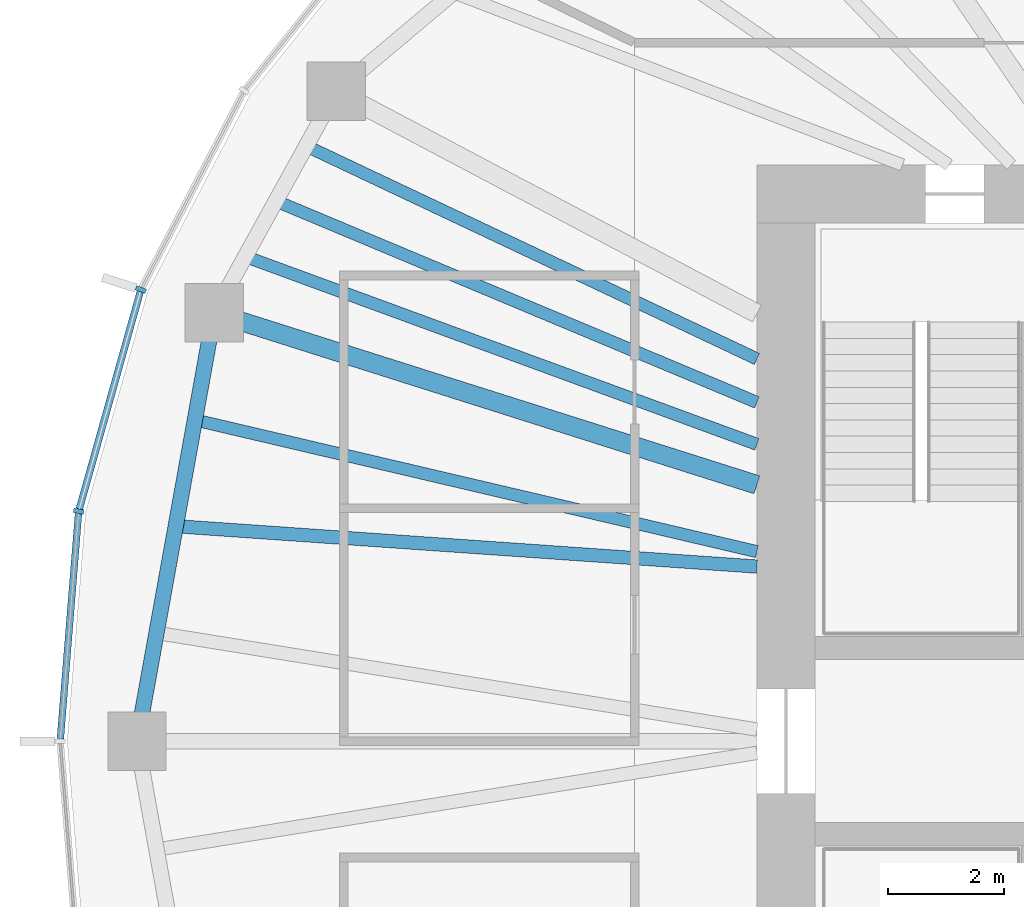
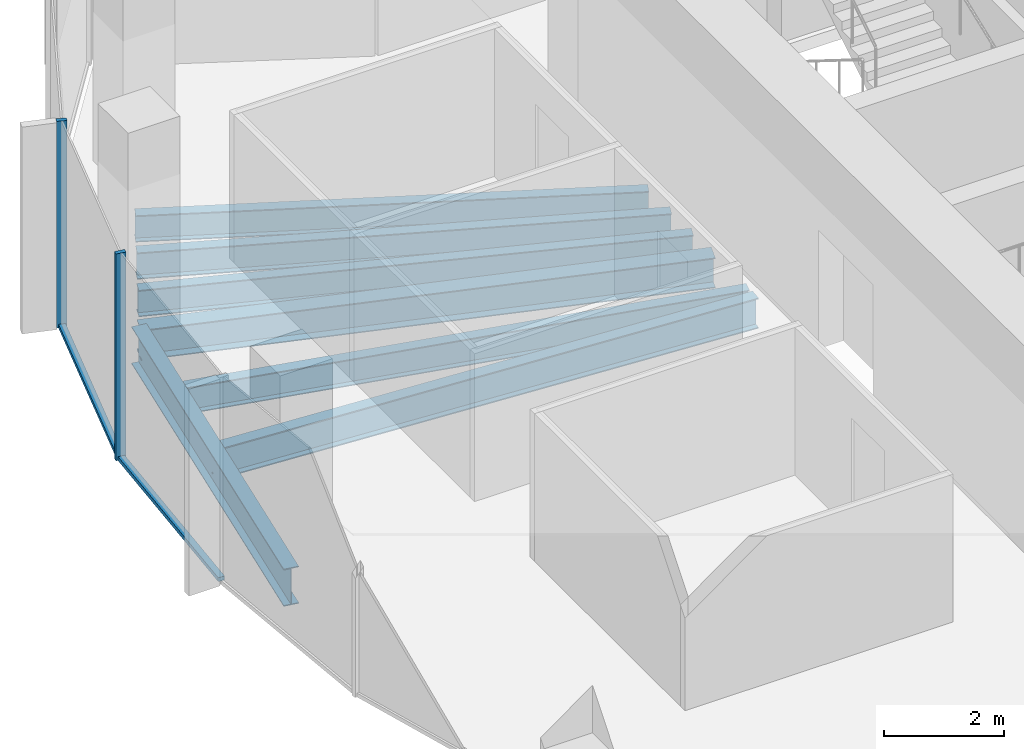
# One storey, part 3 of 11: 7 beams, 4 members, 1 element without a shape of its own.
"""IFC4 building model written with IfcOpenShell, lengths in metres."""

from ifc_helpers import new_model, si_unit, direction, frame, origin, origin_2d, place, context, subcontext, project, spatial, rectangle, i_section, extrude, material, material_profile, profile_set, type_object, element, aggregate, save


model = new_model("IFC4")

# Units and contexts
model_context = context("Model", 3, precision=1e-05, world=origin(), true_north=direction((0.0, 1.0)))
body_context = subcontext(model_context, "Body", "Model", "MODEL_VIEW")
ifc_project = project(units=[si_unit("LENGTHUNIT", "METRE"), si_unit("AREAUNIT", "SQUARE_METRE"), si_unit("VOLUMEUNIT", "CUBIC_METRE"), si_unit("PLANEANGLEUNIT", "RADIAN"), si_unit("MASSUNIT", "GRAM", prefix="KILO")], contexts=[model_context])

# Site, building, storey
site_placement = place(None, origin())
site = spatial("IfcSite", under=ifc_project, at=site_placement, CompositionType="ELEMENT")
building_placement = place(site_placement, origin())
building = spatial("IfcBuilding", under=site, at=building_placement, Name="Ghaith Harvest Tower", CompositionType="ELEMENT")
storey_placement = place(building_placement, frame((0.0, 0.0, 317.39990234375)))
storey = spatial("IfcBuildingStorey", under=building, at=storey_placement, Name="L71", CompositionType="ELEMENT", Elevation=317.39990234375)

# Curtain wall, members
ifc_material_1 = material(Name="Black anodised aluminium and fritted glass", Category="aluminium")
curtain_wall_type = type_object("IfcCurtainWallType", Name="CW-T CURTAIN WALL", PredefinedType="NOTDEFINED", material=ifc_material_1)
curtain_wall_placement = place(storey_placement, origin())
curtain_wall = element("IfcCurtainWall", 1, at=curtain_wall_placement, inside=storey, type_object=curtain_wall_type, Name="Curtain wall CW-T bay 10 L71", PredefinedType="NOTDEFINED")
ifc_material_2 = material(Name="Aluminium, black anodised", Category="aluminium")
ifc_material_profile_1 = material_profile(ifc_material_2, rectangle(XDim=0.080078125, YDim=0.179931640625, at=origin_2d()), Name="CW-T MULLION 80x180")
ifc_profile_set_1 = profile_set([ifc_material_profile_1], Name="Aluminium, black anodised")
member_type_1 = type_object("IfcMemberType", Name="CW-T MULLION 80x180", PredefinedType="MULLION", material=ifc_profile_set_1)
member_1_placement = place(storey_placement, frame((-24.482666015625, 7.759033203125, 0.0), z_axis=(0.0, 0.0, 1.0), x_axis=(-0.366473104961, -0.930428644948, 0.0)))
member_1 = element("IfcMember", 2, at=member_1_placement, type_object=member_type_1, Name="CW-T mullion 1 bay 10 L71", PredefinedType="MULLION", context=body_context, shape_type="SweptSolid", body=[
    extrude(rectangle(XDim=0.080078125, YDim=0.179931640625, at=origin_2d()), origin(), (0.0, 0.0, 1.0), 4.2001953125),
])
member_2_placement = place(storey_placement, frame((-25.5517578125, 3.9521484375, 0.0), z_axis=(0.0, 0.0, 1.0), x_axis=(-0.176001390642, -0.984389917915, 0.0)))
member_2 = element("IfcMember", 3, at=member_2_placement, type_object=member_type_1, Name="CW-T mullion 2 bay 10 L71", PredefinedType="MULLION", context=body_context, shape_type="SweptSolid", body=[
    extrude(rectangle(XDim=0.080078125, YDim=0.179931640625, at=origin_2d()), origin(), (0.0, 0.0, 1.0), 4.2001953125),
])
ifc_material_3 = material(Name="Aluminium, black anodised", Category="aluminium")
ifc_material_profile_2 = material_profile(ifc_material_3, rectangle(XDim=0.1201171875, YDim=0.080078125, at=origin_2d()), Name="CW-T TRANSOM 120x80")
ifc_profile_set_2 = profile_set([ifc_material_profile_2], Name="Aluminium, black anodised")
member_type_2 = type_object("IfcMemberType", Name="CW-T TRANSOM 120x80", PredefinedType="USERDEFINED", material=ifc_profile_set_2)
member_3_placement = place(storey_placement, frame((-24.49365234375, 7.720458984375, 0.0400390625), z_axis=(-0.270340422972, -0.962764797709, 0.0), x_axis=(0.962764797709, -0.270340422972, 0.0)))
member_3 = element("IfcMember", 4, at=member_3_placement, type_object=member_type_2, Name="CW-T transom 1 bay 10 L71", ObjectType="TRANSOM", PredefinedType="USERDEFINED", context=body_context, shape_type="SweptSolid", body=[
    extrude(rectangle(XDim=0.1201171875, YDim=0.080078125, at=origin_2d()), origin(), (0.0, 0.0, 1.0), 3.874267578125),
])
member_4_placement = place(storey_placement, frame((-25.554931640625, 3.912109375, 0.0400390625), z_axis=(-0.08025226314, -0.996774585481, 0.0), x_axis=(0.996774585481, -0.08025226314, 0.0)))
member_4 = element("IfcMember", 5, at=member_4_placement, type_object=member_type_2, Name="CW-T transom 2 bay 10 L71", ObjectType="TRANSOM", PredefinedType="USERDEFINED", context=body_context, shape_type="SweptSolid", body=[
    extrude(rectangle(XDim=0.1201171875, YDim=0.080078125, at=origin_2d()), origin(), (0.0, 0.0, 1.0), 3.884765625),
])
aggregate(curtain_wall, [member_1, member_3, member_2, member_4])

# Beams
ifc_material_4 = material(Name="Steel ASTM A992 Grade 50", Category="steel")
ifc_material_profile_3 = material_profile(ifc_material_4, i_section(OverallWidth=0.26611328125, OverallDepth=0.758056640625, WebThickness=0.013916015625, FlangeThickness=0.019287109375, at=origin_2d()), Name="W760X161")
ifc_profile_set_3 = profile_set([ifc_material_profile_3], Name="Steel ASTM A992 Grade 50")
beam_type_1 = type_object("IfcBeamType", Name="E760-161 W760X161", PredefinedType="SPANDREL", material=ifc_profile_set_3)
beam_1_placement = place(storey_placement, frame((-23.22412109375, 7.360107421875, -0.548828125), z_axis=(-0.177296554745, -0.984157473007, 0.0), x_axis=(0.984157473007, -0.177296554745, 0.0)))
element("IfcBeam", 6, at=beam_1_placement, inside=storey, type_object=beam_type_1, Name="Edge beam E10 L71", PredefinedType="SPANDREL", context=body_context, shape_type="SweptSolid", body=[
    extrude(i_section(OverallWidth=0.26611328125, OverallDepth=0.758056640625, WebThickness=0.013916015625, FlangeThickness=0.019287109375, at=origin_2d()), origin(), (0.0, 0.0, 1.0), 7.478515625),
])
ifc_material_5 = material(Name="Steel ASTM A992 Grade 50", Category="steel")
ifc_material_profile_4 = material_profile(ifc_material_5, i_section(OverallWidth=0.323974609375, OverallDepth=0.611083984375, WebThickness=0.0126953125, FlangeThickness=0.01904296875, at=origin_2d()), Name="W610X155")
ifc_profile_set_4 = profile_set([ifc_material_profile_4], Name="Steel ASTM A992 Grade 50")
beam_type_2 = type_object("IfcBeamType", Name="G610-155 W610X155", PredefinedType="BEAM", material=ifc_profile_set_4)
beam_2_placement = place(storey_placement, frame((-13.89990234375, 4.4052734375, -0.475341796875), z_axis=(-0.953278508772, 0.302092841215, 0.0), x_axis=(-0.302092841215, -0.953278508772, 0.0)))
element("IfcBeam", 7, at=beam_2_placement, inside=storey, type_object=beam_type_2, Name="Radial girder G10 L71", PredefinedType="BEAM", context=body_context, shape_type="SweptSolid", body=[
    extrude(i_section(OverallWidth=0.323974609375, OverallDepth=0.611083984375, WebThickness=0.0126953125, FlangeThickness=0.01904296875, at=origin_2d()), origin(), (0.0, 0.0, 1.0), 9.78125),
])
ifc_material_6 = material(Name="Steel ASTM A992 Grade 50", Category="steel")
ifc_material_profile_5 = material_profile(ifc_material_6, i_section(OverallWidth=0.2109375, OverallDepth=0.5390625, WebThickness=0.01171875, FlangeThickness=0.018798828125, at=origin_2d()), Name="W530X109")
ifc_profile_set_5 = profile_set([ifc_material_profile_5], Name="Steel ASTM A992 Grade 50")
beam_type_3 = type_object("IfcBeamType", Name="J530-109 W530X109", PredefinedType="JOIST", material=ifc_profile_set_5)
beam_3_placement = place(storey_placement, frame((-13.89990234375, 6.56787109375, -0.439453125), z_axis=(-0.904165769726, 0.427181765594, 0.0), x_axis=(-0.427181765594, -0.904165769726, 0.0)))
element("IfcBeam", 8, at=beam_3_placement, inside=storey, type_object=beam_type_3, Name="Joist J09.1 L71", PredefinedType="JOIST", context=body_context, shape_type="SweptSolid", body=[
    extrude(i_section(OverallWidth=0.2109375, OverallDepth=0.5390625, WebThickness=0.01171875, FlangeThickness=0.018798828125, at=origin_2d()), origin(), (0.0, 0.0, 1.0), 8.564208984375),
])
beam_4_placement = place(storey_placement, frame((-13.89990234375, 5.82080078125, -0.439453125), z_axis=(-0.922394258818, 0.38624970071, 0.0), x_axis=(-0.38624970071, -0.922394258818, 0.0)))
element("IfcBeam", 9, at=beam_4_placement, inside=storey, type_object=beam_type_3, Name="Joist J09.2 L71", PredefinedType="JOIST", context=body_context, shape_type="SweptSolid", body=[
    extrude(i_section(OverallWidth=0.2109375, OverallDepth=0.5390625, WebThickness=0.01171875, FlangeThickness=0.018798828125, at=origin_2d()), origin(), (0.0, 0.0, 1.0), 8.959716796875),
])
beam_5_placement = place(storey_placement, frame((-13.89990234375, 5.101318359375, -0.439453125), z_axis=(-0.938776837502, 0.34452583266, 0.0), x_axis=(-0.34452583266, -0.938776837502, 0.0)))
element("IfcBeam", 10, at=beam_5_placement, inside=storey, type_object=beam_type_3, Name="Joist J09.3 L71", PredefinedType="JOIST", context=body_context, shape_type="SweptSolid", body=[
    extrude(i_section(OverallWidth=0.2109375, OverallDepth=0.5390625, WebThickness=0.01171875, FlangeThickness=0.018798828125, at=origin_2d()), origin(), (0.0, 0.0, 1.0), 9.36376953125),
])
beam_6_placement = place(storey_placement, frame((-13.89990234375, 3.257080078125, -0.439453125), z_axis=(-0.973623403271, 0.228161058472, 0.0), x_axis=(-0.228161058472, -0.973623403271, 0.0)))
element("IfcBeam", 11, at=beam_6_placement, inside=storey, type_object=beam_type_3, Name="Joist J10.1 L71", PredefinedType="JOIST", context=body_context, shape_type="SweptSolid", body=[
    extrude(i_section(OverallWidth=0.2109375, OverallDepth=0.5390625, WebThickness=0.01171875, FlangeThickness=0.018798828125, at=origin_2d()), origin(), (0.0, 0.0, 1.0), 9.9169921875),
])
ifc_material_7 = material(Name="Steel ASTM A992 Grade 50", Category="steel")
ifc_material_profile_6 = material_profile(ifc_material_7, i_section(OverallWidth=0.22998046875, OverallDepth=0.616943359375, WebThickness=0.01318359375, FlangeThickness=0.022216796875, at=origin_2d()), Name="W610X140")
ifc_profile_set_6 = profile_set([ifc_material_profile_6], Name="Steel ASTM A992 Grade 50")
beam_type_4 = type_object("IfcBeamType", Name="J610-140 W610X140", PredefinedType="JOIST", material=ifc_profile_set_6)
beam_7_placement = place(storey_placement, frame((-13.89990234375, 3.0, -0.478515625), z_axis=(-0.997592478057, 0.069348739886, 0.0), x_axis=(-0.069348739886, -0.997592478057, 0.0)))
element("IfcBeam", 12, at=beam_7_placement, inside=storey, type_object=beam_type_4, Name="Joist J10.2 L71", PredefinedType="JOIST", context=body_context, shape_type="SweptSolid", body=[
    extrude(i_section(OverallWidth=0.22998046875, OverallDepth=0.616943359375, WebThickness=0.01318359375, FlangeThickness=0.022216796875, at=origin_2d()), origin(), (0.0, 0.0, 1.0), 10.0087890625),
])

save(model, "model.ifc")
